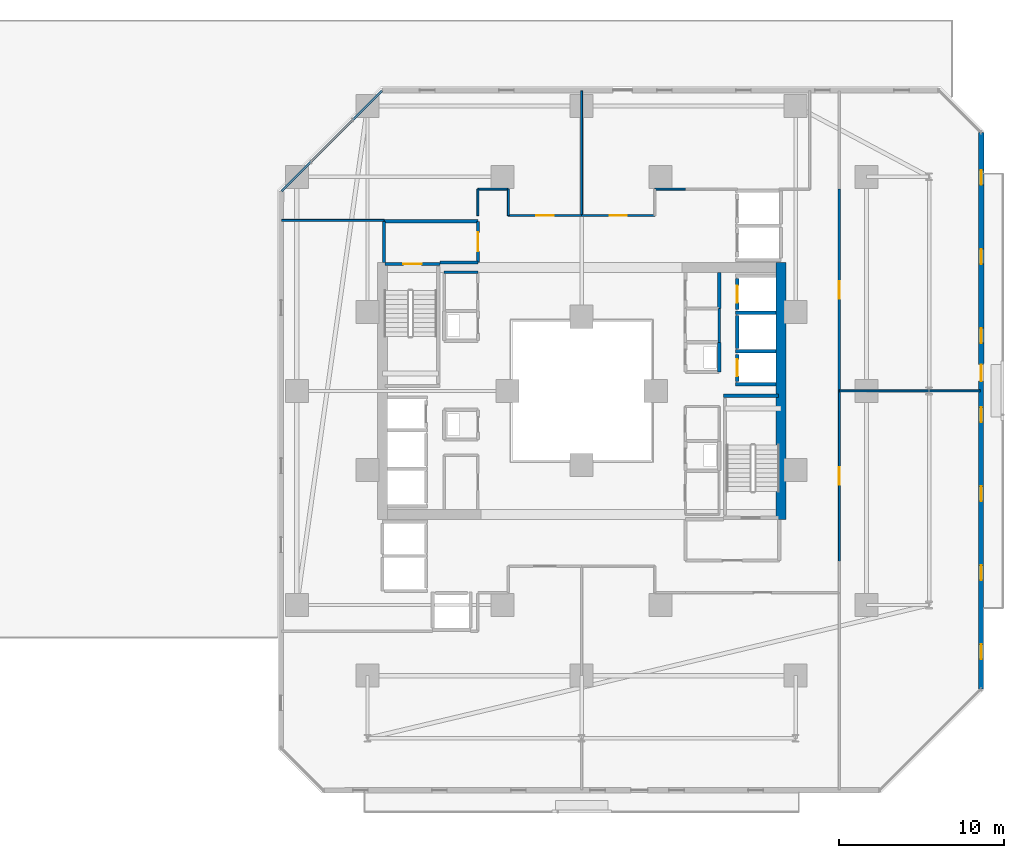
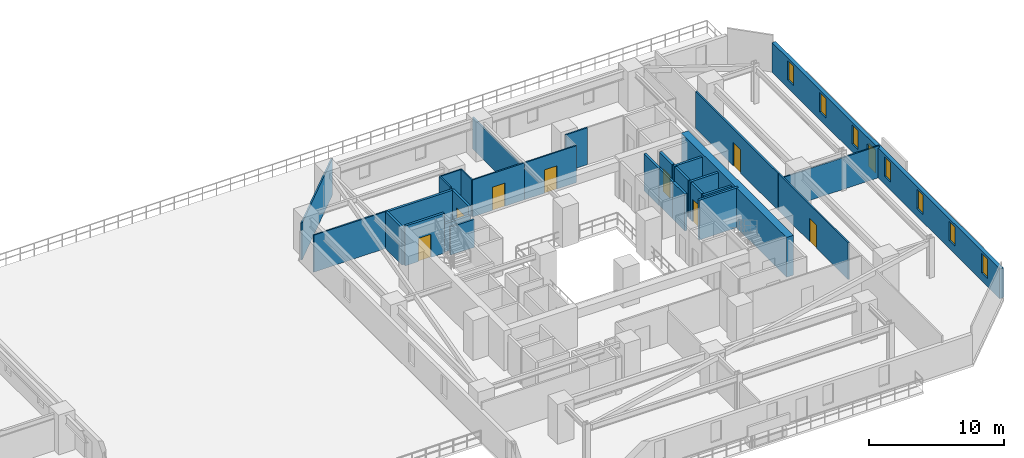
# One storey, part 24 of 34: 30 walls, 9 doors, 7 windows, 16 openings.
"""IFC4 building model written with IfcOpenShell, lengths in metres."""

from ifc_helpers import new_model, si_unit, direction, frame, frame_2d, origin, place, context, subcontext, project, spatial, rectangle, extrude, material, layer, layer_set, type_object, element, fill, save


model = new_model("IFC4")

# Units and contexts
model_context = context("Model", 3, precision=1e-05, world=origin(), true_north=direction((0.0, 1.0)))
body_context = subcontext(model_context, "Body", "Model", "MODEL_VIEW")
ifc_project = project(units=[si_unit("LENGTHUNIT", "METRE"), si_unit("AREAUNIT", "SQUARE_METRE"), si_unit("VOLUMEUNIT", "CUBIC_METRE"), si_unit("PLANEANGLEUNIT", "RADIAN"), si_unit("MASSUNIT", "GRAM", prefix="KILO")], contexts=[model_context])

# Site, building, storey
site_placement = place(None, origin())
site = spatial("IfcSite", under=ifc_project, at=site_placement, CompositionType="ELEMENT")
building_placement = place(site_placement, origin())
building = spatial("IfcBuilding", under=site, at=building_placement, Name="Thornwick Lancets Civic Towers", CompositionType="ELEMENT")
storey_placement = place(building_placement, frame((0.0, 0.0, 27.89990234375)))
storey = spatial("IfcBuildingStorey", under=building, at=storey_placement, Name="L06", CompositionType="ELEMENT", Elevation=27.89990234375)

# Wall, opening, door
ifc_material_1 = material(Name="Concrete blockwork C40/50", Category="masonry")
ifc_layer_1 = layer(ifc_material_1, 0.199951171875, Name="Concrete blockwork C40/50")
ifc_layer_set_1 = layer_set([ifc_layer_1], Name="Concrete blockwork C40/50")
wall_type_1 = type_object("IfcWallType", Name="WALL_COMP_200", PredefinedType="STANDARD", material=ifc_layer_set_1)
wall_1_placement = place(storey_placement, frame((97.949951171875, 29.219970703125, 0.0), z_axis=(0.0, 0.0, 1.0), x_axis=(0.0, -1.0, 0.0)))
wall_1 = element("IfcWall", 1, at=wall_1_placement, inside=storey, type_object=wall_type_1, Name="L06 Hoistway Front Wall FL-B1", PredefinedType="STANDARD", context=body_context, shape_type="SweptSolid", body=[
    extrude(rectangle(XDim=1.639892578125, YDim=0.199951171875, at=frame_2d((0.81982421875, 0.0))), origin(), (0.0, 0.0, 1.0), 3.340087890625),
])
opening_1_placement = place(wall_1_placement, frame((0.31005859375, 0.0, 0.0)))
opening_1 = element("IfcOpeningElement", 2, at=opening_1_placement, cuts=wall_1, Name="Opening LD-FL-B1", PredefinedType="OPENING", context=body_context, shape_type="SweptSolid", body=[
    extrude(rectangle(XDim=1.02001953125, YDim=2.06005859375, at=frame_2d((0.510009765625, 1.030029296875))), frame((0.0, 0.10986328125, 0.0), z_axis=(0.0, -1.0, 0.0), x_axis=(1.0, 0.0, 0.0)), (0.0, 0.0, 1.0), 0.219970703125),
])
ifc_material_2 = material(Name="Brushed bronze stainless steel", Category="steel")
door_type_1 = type_object("IfcDoorType", Name="DOOR_LIFT_SLIDE", OperationType="SLIDING_TO_LEFT", PredefinedType="DOOR", material=ifc_material_2)
door_1_placement = place(opening_1_placement, origin())
door_1 = element("IfcDoor", 3, at=door_1_placement, inside=storey, type_object=door_type_1, Name="L06 Sliding Lift Landing Door LD-FL-B1", OperationType="SLIDING_TO_LEFT", OverallHeight=2.06005859375, OverallWidth=1.02001953125, PredefinedType="DOOR", context=body_context, shape_type="SweptSolid", body=[
    extrude(rectangle(XDim=1.02001953125, YDim=2.06005859375, at=frame_2d((0.510009765625, 1.030029296875))), frame((0.0, 0.02490234375, 0.0), z_axis=(0.0, -1.0, 0.0), x_axis=(1.0, 0.0, 0.0)), (0.0, 0.0, 1.0), 0.050048828125),
])
fill(opening_1, door_1)

# Wall
wall_2_placement = place(storey_placement, frame((97.949951171875, 31.570068359375, 0.0), z_axis=(0.0, 0.0, 1.0), x_axis=(0.0, -1.0, 0.0)))
element("IfcWall", 4, at=wall_2_placement, inside=storey, type_object=wall_type_1, Name="L06 Hoistway Front Wall PL-BH1", PredefinedType="STANDARD", context=body_context, shape_type="SweptSolid", body=[
    extrude(rectangle(XDim=1.989990234375, YDim=0.199951171875, at=frame_2d((0.9951171875, 0.0))), origin(), (0.0, 0.0, 1.0), 3.340087890625),
])

# Wall, opening, door
wall_3_placement = place(storey_placement, frame((97.949951171875, 33.820068359375, 0.0), z_axis=(0.0, 0.0, 1.0), x_axis=(0.0, -1.0, 0.0)))
wall_3 = element("IfcWall", 5, at=wall_3_placement, inside=storey, type_object=wall_type_1, Name="L06 Hoistway Front Wall PL-BL1", PredefinedType="STANDARD", context=body_context, shape_type="SweptSolid", body=[
    extrude(rectangle(XDim=1.89013671875, YDim=0.199951171875, at=frame_2d((0.945068359375, 0.0))), origin(), (0.0, 0.0, 1.0), 3.340087890625),
])
opening_2_placement = place(wall_3_placement, frame((0.43505859375, 0.0, 0.0)))
opening_2 = element("IfcOpeningElement", 6, at=opening_2_placement, cuts=wall_3, Name="Opening LD-PL-BL1", PredefinedType="OPENING", context=body_context, shape_type="SweptSolid", body=[
    extrude(rectangle(XDim=1.02001953125, YDim=2.06005859375, at=frame_2d((0.510009765625, 1.030029296875))), frame((0.0, 0.10986328125, 0.0), z_axis=(0.0, -1.0, 0.0), x_axis=(1.0, 0.0, 0.0)), (0.0, 0.0, 1.0), 0.219970703125),
])
door_2_placement = place(opening_2_placement, origin())
door_2 = element("IfcDoor", 7, at=door_2_placement, inside=storey, type_object=door_type_1, Name="L06 Sliding Lift Landing Door LD-PL-BL1", OperationType="SLIDING_TO_LEFT", OverallHeight=2.06005859375, OverallWidth=1.02001953125, PredefinedType="DOOR", context=body_context, shape_type="SweptSolid", body=[
    extrude(rectangle(XDim=1.02001953125, YDim=2.06005859375, at=frame_2d((0.510009765625, 1.030029296875))), frame((0.0, 0.02490234375, 0.0), z_axis=(0.0, -1.0, 0.0), x_axis=(1.0, 0.0, 0.0)), (0.0, 0.0, 1.0), 0.050048828125),
])
fill(opening_2, door_2)

# Walls
for number, where, z_axis, x_axis, name in (
    (8, (97.85205078125, 29.39990234375, 0.0), (0.0, 0.0, 1.0), (1.0, 0.0, 0.0), "L06 Hoistway Shaft Wall FL-B1 N"),
    (9, (97.85205078125, 27.39990234375, 0.0), (0.0, 0.0, 1.0), (1.0, 0.0, 0.0), "L06 Hoistway Shaft Wall FL-B1 S"),
    (10, (97.85205078125, 31.75, 0.0), (0.0, 0.0, 1.0), (1.0, 0.0, 0.0), "L06 Hoistway Shaft Wall PL-BH1 N"),
):
    element("IfcWall", number, at=place(storey_placement, frame(where, z_axis=z_axis, x_axis=x_axis)), inside=storey, type_object=wall_type_1, Name=name, PredefinedType="STANDARD", context=body_context, shape_type="SweptSolid", body=[
        extrude(rectangle(XDim=2.43603515625, YDim=0.199951171875, at=frame_2d((1.218017578125, 0.0))), origin(), (0.0, 0.0, 1.0), 3.340087890625),
    ])
wall_4_placement = place(storey_placement, frame((79.89990234375, 34.800048828125, 0.0), z_axis=(0.0, 0.0, 1.0), x_axis=(1.0, 0.0, 0.0)))
element("IfcWall", 11, at=wall_4_placement, inside=storey, type_object=wall_type_1, Name="L06 Partition L06-B-FFLOB2 E1", PredefinedType="STANDARD", context=body_context, shape_type="SweptSolid", body=[
    extrude(rectangle(XDim=2.300048828125, YDim=0.199951171875, at=frame_2d((1.14990234375, 0.0))), origin(), (0.0, 0.0, 1.0), 2.545166015625),
])

# Wall, opening, door
wall_5_placement = place(storey_placement, frame((82.199951171875, 34.800048828125, 0.0), z_axis=(0.0, 0.0, 1.0), x_axis=(0.0, 1.0, 0.0)))
wall_5 = element("IfcWall", 12, at=wall_5_placement, inside=storey, type_object=wall_type_1, Name="L06 Partition L06-B-FFLOB2 E2", PredefinedType="STANDARD", context=body_context, shape_type="SweptSolid", body=[
    extrude(rectangle(XDim=2.5, YDim=0.199951171875, at=frame_2d((1.25, 0.0))), origin(), (0.0, 0.0, 1.0), 3.340087890625),
])
opening_3_placement = place(wall_5_placement, frame((0.675048828125, 0.0, 0.0)))
opening_3 = element("IfcOpeningElement", 13, at=opening_3_placement, cuts=wall_5, Name="Opening D-L06-0334", PredefinedType="OPENING", context=body_context, shape_type="SweptSolid", body=[
    extrude(rectangle(XDim=1.14990234375, YDim=2.10009765625, at=frame_2d((0.574951171875, 1.050048828125))), frame((0.0, 0.10986328125, 0.0), z_axis=(0.0, -1.0, 0.0), x_axis=(1.0, 0.0, 0.0)), (0.0, 0.0, 1.0), 0.219970703125),
])
ifc_material_3 = material(Name="Glazed fire-resisting steel", Category="steel")
door_type_2 = type_object("IfcDoorType", Name="DOOR_LOBBY_FD60", OperationType="NOTDEFINED", PredefinedType="DOOR", material=ifc_material_3)
door_3_placement = place(opening_3_placement, origin())
door_3 = element("IfcDoor", 14, at=door_3_placement, inside=storey, type_object=door_type_2, Name="L06 West Firefighting Lobby 2 Door", OperationType="SINGLE_SWING_LEFT", OverallHeight=2.10009765625, OverallWidth=1.14990234375, PredefinedType="DOOR", context=body_context, shape_type="SweptSolid", body=[
    extrude(rectangle(XDim=1.14990234375, YDim=2.10009765625, at=frame_2d((0.574951171875, 1.050048828125))), frame((0.0, 0.02490234375, 0.0), z_axis=(0.0, -1.0, 0.0), x_axis=(1.0, 0.0, 0.0)), (0.0, 0.0, 1.0), 0.050048828125),
])
fill(opening_3, door_3)

# Walls
wall_6_placement = place(storey_placement, frame((82.199951171875, 37.300048828125, 0.0), z_axis=(0.0, 0.0, 1.0), x_axis=(-1.0, 0.0, 0.0)))
element("IfcWall", 15, at=wall_6_placement, inside=storey, type_object=wall_type_1, Name="L06 Partition L06-B-FFLOB2 E3", PredefinedType="STANDARD", context=body_context, shape_type="SweptSolid", body=[
    extrude(rectangle(XDim=5.699951171875, YDim=0.199951171875, at=frame_2d((2.85009765625, 0.0))), origin(), (0.0, 0.0, 1.0), 3.340087890625),
])
wall_7_placement = place(storey_placement, frame((76.5, 37.300048828125, 0.0), z_axis=(0.0, 0.0, 1.0), x_axis=(0.0, -1.0, 0.0)))
element("IfcWall", 16, at=wall_7_placement, inside=storey, type_object=wall_type_1, Name="L06 Partition L06-B-FFLOB2 E4", PredefinedType="STANDARD", context=body_context, shape_type="SweptSolid", body=[
    extrude(rectangle(XDim=2.5, YDim=0.199951171875, at=frame_2d((1.25, 0.0))), origin(), (0.0, 0.0, 1.0), 3.340087890625),
])
wall_8_placement = place(storey_placement, frame((96.85009765625, 28.14990234375, 0.0), z_axis=(0.0, 0.0, 1.0), x_axis=(0.0, 1.0, 0.0)))
element("IfcWall", 17, at=wall_8_placement, inside=storey, type_object=wall_type_1, Name="L06 Partition L06-B-DUCT1 E2", PredefinedType="STANDARD", context=body_context, shape_type="SweptSolid", body=[
    extrude(rectangle(XDim=1.800048828125, YDim=0.199951171875, at=frame_2d((0.89990234375, 0.0))), origin(), (0.0, 0.0, 1.0), 3.340087890625),
])
wall_9_placement = place(storey_placement, frame((96.85009765625, 34.199951171875, 0.0), z_axis=(0.0, 0.0, 1.0), x_axis=(0.0, -1.0, 0.0)))
element("IfcWall", 18, at=wall_9_placement, inside=storey, type_object=wall_type_1, Name="L06 Partition L06-B-STR2 E3", PredefinedType="STANDARD", context=body_context, shape_type="SweptSolid", body=[
    extrude(rectangle(XDim=2.199951171875, YDim=0.199951171875, at=frame_2d((1.10009765625, 0.0))), origin(), (0.0, 0.0, 1.0), 3.340087890625),
])
ifc_material_4 = material(Name="Concrete C60/75", Category="concrete")
ifc_layer_2 = layer(ifc_material_4, 0.60009765625, Name="Concrete C60/75")
ifc_layer_set_2 = layer_set([ifc_layer_2], Name="Concrete C60/75")
wall_type_2 = type_object("IfcWallType", Name="WALL_CORE_600", PredefinedType="SHEAR", material=ifc_layer_set_2)
wall_10_placement = place(storey_placement, frame((100.60009765625, 19.199951171875, 0.0), z_axis=(0.0, 0.0, 1.0), x_axis=(0.0, 1.0, 0.0)))
element("IfcWall", 19, at=wall_10_placement, inside=storey, type_object=wall_type_2, Name="L06 Split Core B1 Shear Wall E", PredefinedType="SHEAR", context=body_context, shape_type="SweptSolid", body=[
    extrude(rectangle(XDim=15.60009765625, YDim=0.60009765625, at=frame_2d((7.800048828125, 0.0))), origin(), (0.0, 0.0, 1.0), 3.60009765625),
])

# Wall, openings, door, windows
ifc_material_5 = material(Name="Insulated buff terracotta rainscreen on concrete C40/50", Category="masonry")
ifc_layer_3 = layer(ifc_material_5, 0.320068359375, Name="Insulated buff terracotta rainscreen on concrete C40/50")
ifc_layer_set_3 = layer_set([ifc_layer_3], Name="Insulated buff terracotta rainscreen on concrete C40/50")
wall_type_3 = type_object("IfcWallType", Name="WALL_EXT_TERRA_320", PredefinedType="STANDARD", material=ifc_layer_set_3)
wall_11_placement = place(storey_placement, frame((112.75341796875, 8.904296875, 0.0), z_axis=(0.0, 0.0, 1.0), x_axis=(0.000339718087, 0.999999942296, 0.0)))
wall_11 = element("IfcWall", 20, at=wall_11_placement, inside=storey, type_object=wall_type_3, Name="L06 Tower B Terracotta Facade Wall E2", PredefinedType="STANDARD", context=body_context, shape_type="SweptSolid", body=[
    extrude(rectangle(XDim=33.77685546875, YDim=0.320068359375, at=frame_2d((16.888427734375, 0.0))), origin(), (0.0, 0.0, 1.0), 2.7001953125),
])
opening_4_placement = place(wall_11_placement, frame((18.6884765625, 0.0, 0.0)))
opening_4 = element("IfcOpeningElement", 21, at=opening_4_placement, cuts=wall_11, Name="Opening D-BL-L06-BE", PredefinedType="OPENING", context=body_context, shape_type="SweptSolid", body=[
    extrude(rectangle(XDim=1.0, YDim=2.080078125, at=frame_2d((0.5, 1.0400390625))), frame((0.0, 0.169921875, 0.0), z_axis=(0.0, -1.0, 0.0), x_axis=(1.0, 0.0, 0.0)), (0.0, 0.0, 1.0), 0.340087890625),
])
opening_5_placement = place(wall_11_placement, frame((1.800048828125, 0.0, 0.719970703125)))
opening_5 = element("IfcOpeningElement", 22, at=opening_5_placement, cuts=wall_11, Name="Opening WL-01", PredefinedType="OPENING", context=body_context, shape_type="SweptSolid", body=[
    extrude(rectangle(XDim=0.89990234375, YDim=1.75, at=frame_2d((0.449951171875, 0.875))), frame((0.0, 0.169921875, 0.0), z_axis=(0.0, -1.0, 0.0), x_axis=(1.0, 0.0, 0.0)), (0.0, 0.0, 1.0), 0.340087890625),
])
opening_6_placement = place(wall_11_placement, frame((6.60009765625, 0.0, 0.719970703125)))
opening_6 = element("IfcOpeningElement", 23, at=opening_6_placement, cuts=wall_11, Name="Opening WL-01", PredefinedType="OPENING", context=body_context, shape_type="SweptSolid", body=[
    extrude(rectangle(XDim=0.89990234375, YDim=1.75, at=frame_2d((0.449951171875, 0.875))), frame((0.0, 0.169921875, 0.0), z_axis=(0.0, -1.0, 0.0), x_axis=(1.0, 0.0, 0.0)), (0.0, 0.0, 1.0), 0.340087890625),
])
opening_7_placement = place(wall_11_placement, frame((11.39990234375, 0.0, 0.719970703125)))
opening_7 = element("IfcOpeningElement", 24, at=opening_7_placement, cuts=wall_11, Name="Opening WL-01", PredefinedType="OPENING", context=body_context, shape_type="SweptSolid", body=[
    extrude(rectangle(XDim=0.89990234375, YDim=1.75, at=frame_2d((0.449951171875, 0.875))), frame((0.0, 0.169921875, 0.0), z_axis=(0.0, -1.0, 0.0), x_axis=(1.0, 0.0, 0.0)), (0.0, 0.0, 1.0), 0.340087890625),
])
opening_8_placement = place(wall_11_placement, frame((16.199951171875, 0.0, 0.719970703125)))
opening_8 = element("IfcOpeningElement", 25, at=opening_8_placement, cuts=wall_11, Name="Opening WL-01", PredefinedType="OPENING", context=body_context, shape_type="SweptSolid", body=[
    extrude(rectangle(XDim=0.89990234375, YDim=1.75, at=frame_2d((0.449951171875, 0.875))), frame((0.0, 0.169921875, 0.0), z_axis=(0.0, -1.0, 0.0), x_axis=(1.0, 0.0, 0.0)), (0.0, 0.0, 1.0), 0.340087890625),
])
opening_9_placement = place(wall_11_placement, frame((21.0, 0.0, 0.719970703125)))
opening_9 = element("IfcOpeningElement", 26, at=opening_9_placement, cuts=wall_11, Name="Opening WL-01", PredefinedType="OPENING", context=body_context, shape_type="SweptSolid", body=[
    extrude(rectangle(XDim=0.89990234375, YDim=1.75, at=frame_2d((0.449951171875, 0.875))), frame((0.0, 0.169921875, 0.0), z_axis=(0.0, -1.0, 0.0), x_axis=(1.0, 0.0, 0.0)), (0.0, 0.0, 1.0), 0.340087890625),
])
opening_10_placement = place(wall_11_placement, frame((25.800048828125, 0.0, 0.719970703125)))
opening_10 = element("IfcOpeningElement", 27, at=opening_10_placement, cuts=wall_11, Name="Opening WL-01", PredefinedType="OPENING", context=body_context, shape_type="SweptSolid", body=[
    extrude(rectangle(XDim=0.89990234375, YDim=1.75, at=frame_2d((0.449951171875, 0.875))), frame((0.0, 0.169921875, 0.0), z_axis=(0.0, -1.0, 0.0), x_axis=(1.0, 0.0, 0.0)), (0.0, 0.0, 1.0), 0.340087890625),
])
opening_11_placement = place(wall_11_placement, frame((30.60009765625, 0.0, 0.719970703125)))
opening_11 = element("IfcOpeningElement", 28, at=opening_11_placement, cuts=wall_11, Name="Opening WL-01", PredefinedType="OPENING", context=body_context, shape_type="SweptSolid", body=[
    extrude(rectangle(XDim=0.89990234375, YDim=1.75, at=frame_2d((0.449951171875, 0.875))), frame((0.0, 0.169921875, 0.0), z_axis=(0.0, -1.0, 0.0), x_axis=(1.0, 0.0, 0.0)), (0.0, 0.0, 1.0), 0.340087890625),
])
ifc_material_6 = material(Name="Thermally broken glazed loggia doorset")
door_type_3 = type_object("IfcDoorType", Name="DOOR_BALC_1000", OperationType="NOTDEFINED", PredefinedType="DOOR", material=ifc_material_6)
door_4_placement = place(opening_4_placement, origin())
door_4 = element("IfcDoor", 29, at=door_4_placement, inside=storey, type_object=door_type_3, Name="L06 Tower B Loggia Balcony Door E", OperationType="SINGLE_SWING_LEFT", OverallHeight=2.080078125, OverallWidth=1.0, PredefinedType="DOOR", context=body_context, shape_type="SweptSolid", body=[
    extrude(rectangle(XDim=1.0, YDim=2.080078125, at=frame_2d((0.5, 1.0400390625))), frame((0.0, 0.02490234375, 0.0), z_axis=(0.0, -1.0, 0.0), x_axis=(1.0, 0.0, 0.0)), (0.0, 0.0, 1.0), 0.050048828125),
])
fill(opening_4, door_4)
ifc_material_7 = material(Name="Clear low-e double glazing in bronze frame", Category="glass")
window_type = type_object("IfcWindowType", Name="WIN_LANCET_900", PartitioningType="SINGLE_PANEL", PredefinedType="WINDOW", material=ifc_material_7)
window_1_placement = place(opening_5_placement, origin())
window_1 = element("IfcWindow", 30, at=window_1_placement, inside=storey, type_object=window_type, Name="L06 Tower B Staggered Lancet Window E2-1", OverallHeight=1.75, OverallWidth=0.89990234375, PartitioningType="SINGLE_PANEL", PredefinedType="WINDOW", context=body_context, shape_type="SweptSolid", body=[
    extrude(rectangle(XDim=0.89990234375, YDim=1.75, at=frame_2d((0.449951171875, 0.875))), frame((0.0, 0.030029296875, 0.0), z_axis=(0.0, -1.0, 0.0), x_axis=(1.0, 0.0, 0.0)), (0.0, 0.0, 1.0), 0.06005859375),
])
fill(opening_5, window_1)
window_2_placement = place(opening_6_placement, origin())
window_2 = element("IfcWindow", 31, at=window_2_placement, inside=storey, type_object=window_type, Name="L06 Tower B Staggered Lancet Window E2-2", OverallHeight=1.75, OverallWidth=0.89990234375, PartitioningType="SINGLE_PANEL", PredefinedType="WINDOW", context=body_context, shape_type="SweptSolid", body=[
    extrude(rectangle(XDim=0.89990234375, YDim=1.75, at=frame_2d((0.449951171875, 0.875))), frame((0.0, 0.030029296875, 0.0), z_axis=(0.0, -1.0, 0.0), x_axis=(1.0, 0.0, 0.0)), (0.0, 0.0, 1.0), 0.06005859375),
])
fill(opening_6, window_2)
window_3_placement = place(opening_7_placement, origin())
window_3 = element("IfcWindow", 32, at=window_3_placement, inside=storey, type_object=window_type, Name="L06 Tower B Staggered Lancet Window E2-3", OverallHeight=1.75, OverallWidth=0.89990234375, PartitioningType="SINGLE_PANEL", PredefinedType="WINDOW", context=body_context, shape_type="SweptSolid", body=[
    extrude(rectangle(XDim=0.89990234375, YDim=1.75, at=frame_2d((0.449951171875, 0.875))), frame((0.0, 0.030029296875, 0.0), z_axis=(0.0, -1.0, 0.0), x_axis=(1.0, 0.0, 0.0)), (0.0, 0.0, 1.0), 0.06005859375),
])
fill(opening_7, window_3)
window_4_placement = place(opening_8_placement, origin())
window_4 = element("IfcWindow", 33, at=window_4_placement, inside=storey, type_object=window_type, Name="L06 Tower B Staggered Lancet Window E2-4", OverallHeight=1.75, OverallWidth=0.89990234375, PartitioningType="SINGLE_PANEL", PredefinedType="WINDOW", context=body_context, shape_type="SweptSolid", body=[
    extrude(rectangle(XDim=0.89990234375, YDim=1.75, at=frame_2d((0.449951171875, 0.875))), frame((0.0, 0.030029296875, 0.0), z_axis=(0.0, -1.0, 0.0), x_axis=(1.0, 0.0, 0.0)), (0.0, 0.0, 1.0), 0.06005859375),
])
fill(opening_8, window_4)
window_5_placement = place(opening_9_placement, origin())
window_5 = element("IfcWindow", 34, at=window_5_placement, inside=storey, type_object=window_type, Name="L06 Tower B Staggered Lancet Window E2-5", OverallHeight=1.75, OverallWidth=0.89990234375, PartitioningType="SINGLE_PANEL", PredefinedType="WINDOW", context=body_context, shape_type="SweptSolid", body=[
    extrude(rectangle(XDim=0.89990234375, YDim=1.75, at=frame_2d((0.449951171875, 0.875))), frame((0.0, 0.030029296875, 0.0), z_axis=(0.0, -1.0, 0.0), x_axis=(1.0, 0.0, 0.0)), (0.0, 0.0, 1.0), 0.06005859375),
])
fill(opening_9, window_5)
window_6_placement = place(opening_10_placement, origin())
window_6 = element("IfcWindow", 35, at=window_6_placement, inside=storey, type_object=window_type, Name="L06 Tower B Staggered Lancet Window E2-6", OverallHeight=1.75, OverallWidth=0.89990234375, PartitioningType="SINGLE_PANEL", PredefinedType="WINDOW", context=body_context, shape_type="SweptSolid", body=[
    extrude(rectangle(XDim=0.89990234375, YDim=1.75, at=frame_2d((0.449951171875, 0.875))), frame((0.0, 0.030029296875, 0.0), z_axis=(0.0, -1.0, 0.0), x_axis=(1.0, 0.0, 0.0)), (0.0, 0.0, 1.0), 0.06005859375),
])
fill(opening_10, window_6)
window_7_placement = place(opening_11_placement, origin())
window_7 = element("IfcWindow", 36, at=window_7_placement, inside=storey, type_object=window_type, Name="L06 Tower B Staggered Lancet Window E2-7", OverallHeight=1.75, OverallWidth=0.89990234375, PartitioningType="SINGLE_PANEL", PredefinedType="WINDOW", context=body_context, shape_type="SweptSolid", body=[
    extrude(rectangle(XDim=0.89990234375, YDim=1.75, at=frame_2d((0.449951171875, 0.875))), frame((0.0, 0.030029296875, 0.0), z_axis=(0.0, -1.0, 0.0), x_axis=(1.0, 0.0, 0.0)), (0.0, 0.0, 1.0), 0.06005859375),
])
fill(opening_11, window_7)

# Wall
ifc_material_8 = material(Name="Acoustic gypsum board partition")
ifc_layer_4 = layer(ifc_material_8, 0.1201171875, Name="Acoustic gypsum board partition")
ifc_layer_set_4 = layer_set([ifc_layer_4], Name="Acoustic gypsum board partition")
wall_type_4 = type_object("IfcWallType", Name="WALL_PART_120", PredefinedType="PARTITIONING", material=ifc_layer_set_4)
wall_12_placement = place(storey_placement, frame((94.800048828125, 39.25, 0.0), z_axis=(0.0, 0.0, 1.0), x_axis=(-1.0, 0.0, 0.0)))
element("IfcWall", 37, at=wall_12_placement, inside=storey, type_object=wall_type_4, Name="L06 Partition L06-B-E1 E2", PredefinedType="PARTITIONING", context=body_context, shape_type="SweptSolid", body=[
    extrude(rectangle(XDim=1.85009765625, YDim=0.1201171875, at=frame_2d((0.925048828125, 0.0))), origin(), (0.0, 0.0, 1.0), 3.340087890625),
])

# Wall, opening, door
wall_13_placement = place(storey_placement, frame((92.949951171875, 37.64990234375, 0.0), z_axis=(0.0, 0.0, 1.0), x_axis=(-1.0, 0.0, 0.0)))
wall_13 = element("IfcWall", 38, at=wall_13_placement, inside=storey, type_object=wall_type_4, Name="L06 Partition L06-B-E1 E4", PredefinedType="PARTITIONING", context=body_context, shape_type="SweptSolid", body=[
    extrude(rectangle(XDim=4.449951171875, YDim=0.1201171875, at=frame_2d((2.22509765625, 0.0))), origin(), (0.0, 0.0, 1.0), 3.340087890625),
])
opening_12_placement = place(wall_13_placement, frame((1.699951171875, 0.0, 0.0)))
opening_12 = element("IfcOpeningElement", 39, at=opening_12_placement, cuts=wall_13, Name="Opening D-L06-0353", PredefinedType="OPENING", context=body_context, shape_type="SweptSolid", body=[
    extrude(rectangle(XDim=1.050048828125, YDim=2.10009765625, at=frame_2d((0.52490234375, 1.050048828125))), frame((0.0, 0.070068359375, 0.0), z_axis=(0.0, -1.0, 0.0), x_axis=(1.0, 0.0, 0.0)), (0.0, 0.0, 1.0), 0.14013671875),
])
ifc_material_9 = material(Name="Glazed European oak executive doorset")
door_type_4 = type_object("IfcDoorType", Name="DOOR_OFFICE_1050", OperationType="NOTDEFINED", PredefinedType="DOOR", material=ifc_material_9)
door_5_placement = place(opening_12_placement, origin())
door_5 = element("IfcDoor", 40, at=door_5_placement, inside=storey, type_object=door_type_4, Name="L06 Tower B Secretariat Open Office E1 Door", OperationType="SINGLE_SWING_RIGHT", OverallHeight=2.10009765625, OverallWidth=1.050048828125, PredefinedType="DOOR", context=body_context, shape_type="SweptSolid", body=[
    extrude(rectangle(XDim=1.050048828125, YDim=2.10009765625, at=frame_2d((0.52490234375, 1.050048828125))), frame((0.0, 0.02490234375, 0.0), z_axis=(0.0, -1.0, 0.0), x_axis=(1.0, 0.0, 0.0)), (0.0, 0.0, 1.0), 0.050048828125),
])
fill(opening_12, door_5)

# Walls
wall_14_placement = place(storey_placement, frame((88.5, 37.64990234375, 0.0), z_axis=(0.0, 0.0, 1.0), x_axis=(0.0, 1.0, 0.0)))
element("IfcWall", 41, at=wall_14_placement, inside=storey, type_object=wall_type_4, Name="L06 Partition L06-B-E1 E5", PredefinedType="PARTITIONING", context=body_context, shape_type="SweptSolid", body=[
    extrude(rectangle(XDim=7.570068359375, YDim=0.1201171875, at=frame_2d((3.78515625, 0.0))), origin(), (0.0, 0.0, 1.0), 2.8779296875),
])
wall_15_placement = place(storey_placement, frame((84.050048828125, 37.64990234375, 0.0), z_axis=(0.0, 0.0, 1.0), x_axis=(0.0, 1.0, 0.0)))
element("IfcWall", 42, at=wall_15_placement, inside=storey, type_object=wall_type_4, Name="L06 Partition L06-B-E2 E1", PredefinedType="PARTITIONING", context=body_context, shape_type="SweptSolid", body=[
    extrude(rectangle(XDim=1.60009765625, YDim=0.1201171875, at=frame_2d((0.800048828125, 0.0))), origin(), (0.0, 0.0, 1.0), 3.340087890625),
])
wall_16_placement = place(storey_placement, frame((84.050048828125, 39.25, 0.0), z_axis=(0.0, 0.0, 1.0), x_axis=(-1.0, 0.0, 0.0)))
element("IfcWall", 43, at=wall_16_placement, inside=storey, type_object=wall_type_4, Name="L06 Partition L06-B-E2 E2", PredefinedType="PARTITIONING", context=body_context, shape_type="SweptSolid", body=[
    extrude(rectangle(XDim=1.85009765625, YDim=0.1201171875, at=frame_2d((0.925048828125, 0.0))), origin(), (0.0, 0.0, 1.0), 3.340087890625),
])
wall_17_placement = place(storey_placement, frame((82.199951171875, 39.25, 0.0), z_axis=(0.0, 0.0, 1.0), x_axis=(0.0, -1.0, 0.0)))
element("IfcWall", 44, at=wall_17_placement, inside=storey, type_object=wall_type_4, Name="L06 Partition L06-B-E2 E3", PredefinedType="PARTITIONING", context=body_context, shape_type="SweptSolid", body=[
    extrude(rectangle(XDim=1.60009765625, YDim=0.1201171875, at=frame_2d((0.800048828125, 0.0))), origin(), (0.0, 0.0, 1.0), 3.340087890625),
])
wall_18_placement = place(storey_placement, frame((76.5, 37.35009765625, 0.0), z_axis=(0.0, 0.0, 1.0), x_axis=(-1.0, 0.0, 0.0)))
element("IfcWall", 45, at=wall_18_placement, inside=storey, type_object=wall_type_4, Name="L06 Partition L06-B-E2 E5", PredefinedType="PARTITIONING", context=body_context, shape_type="SweptSolid", body=[
    extrude(rectangle(XDim=6.219970703125, YDim=0.1201171875, at=frame_2d((3.10986328125, 0.0))), origin(), (0.0, 0.0, 1.0), 3.340087890625),
])
wall_19_placement = place(storey_placement, frame((70.280029296875, 39.12548828125, 0.0), z_axis=(0.0, 0.0, 1.0), x_axis=(0.707106781187, 0.707106781187, 0.0)))
element("IfcWall", 46, at=wall_19_placement, inside=storey, type_object=wall_type_4, Name="L06 Partition L06-B-E2 E7", PredefinedType="PARTITIONING", context=body_context, shape_type="SweptSolid", body=[
    extrude(rectangle(XDim=8.618896484375, YDim=0.1201171875, at=frame_2d((4.3095703125, 0.0))), origin(), (0.0, 0.0, 1.0), 3.340087890625),
])

# Wall, opening, door
wall_20_placement = place(storey_placement, frame((88.5, 37.64990234375, 0.0), z_axis=(0.0, 0.0, 1.0), x_axis=(-1.0, 0.0, 0.0)))
wall_20 = element("IfcWall", 47, at=wall_20_placement, inside=storey, type_object=wall_type_4, Name="L06 Partition L06-B-E2 E10", PredefinedType="PARTITIONING", context=body_context, shape_type="SweptSolid", body=[
    extrude(rectangle(XDim=4.449951171875, YDim=0.1201171875, at=frame_2d((2.22509765625, 0.0))), origin(), (0.0, 0.0, 1.0), 3.340087890625),
])
opening_13_placement = place(wall_20_placement, frame((1.699951171875, 0.0, 0.0)))
opening_13 = element("IfcOpeningElement", 48, at=opening_13_placement, cuts=wall_20, Name="Opening D-L06-0354", PredefinedType="OPENING", context=body_context, shape_type="SweptSolid", body=[
    extrude(rectangle(XDim=1.050048828125, YDim=2.10009765625, at=frame_2d((0.52490234375, 1.050048828125))), frame((0.0, 0.070068359375, 0.0), z_axis=(0.0, -1.0, 0.0), x_axis=(1.0, 0.0, 0.0)), (0.0, 0.0, 1.0), 0.14013671875),
])
door_6_placement = place(opening_13_placement, origin())
door_6 = element("IfcDoor", 49, at=door_6_placement, inside=storey, type_object=door_type_4, Name="L06 Tower B Visitors Reception and Waiting Door", OperationType="SINGLE_SWING_LEFT", OverallHeight=2.10009765625, OverallWidth=1.050048828125, PredefinedType="DOOR", context=body_context, shape_type="SweptSolid", body=[
    extrude(rectangle(XDim=1.050048828125, YDim=2.10009765625, at=frame_2d((0.52490234375, 1.050048828125))), frame((0.0, 0.02490234375, 0.0), z_axis=(0.0, -1.0, 0.0), x_axis=(1.0, 0.0, 0.0)), (0.0, 0.0, 1.0), 0.050048828125),
])
fill(opening_13, door_6)

wall_21_placement = place(storey_placement, frame((104.14990234375, 16.64990234375, 0.0), z_axis=(0.0, 0.0, 1.0), x_axis=(0.0, 1.0, 0.0)))
wall_21 = element("IfcWall", 50, at=wall_21_placement, inside=storey, type_object=wall_type_4, Name="L06 Partition L06-B-S-OFF E4", PredefinedType="PARTITIONING", context=body_context, shape_type="SweptSolid", body=[
    extrude(rectangle(XDim=10.35009765625, YDim=0.1201171875, at=frame_2d((5.175048828125, 0.0))), origin(), (0.0, 0.0, 1.0), 3.340087890625),
])
opening_14_placement = place(wall_21_placement, frame((4.64990234375, 0.0, 0.0)))
opening_14 = element("IfcOpeningElement", 51, at=opening_14_placement, cuts=wall_21, Name="Opening D-L06-0355", PredefinedType="OPENING", context=body_context, shape_type="SweptSolid", body=[
    extrude(rectangle(XDim=1.050048828125, YDim=2.10009765625, at=frame_2d((0.52490234375, 1.050048828125))), frame((0.0, 0.070068359375, 0.0), z_axis=(0.0, -1.0, 0.0), x_axis=(1.0, 0.0, 0.0)), (0.0, 0.0, 1.0), 0.14013671875),
])
door_7_placement = place(opening_14_placement, origin())
door_7 = element("IfcDoor", 52, at=door_7_placement, inside=storey, type_object=door_type_4, Name="L06 Tower B South Division Office Door", OperationType="SINGLE_SWING_RIGHT", OverallHeight=2.10009765625, OverallWidth=1.050048828125, PredefinedType="DOOR", context=body_context, shape_type="SweptSolid", body=[
    extrude(rectangle(XDim=1.050048828125, YDim=2.10009765625, at=frame_2d((0.52490234375, 1.050048828125))), frame((0.0, 0.02490234375, 0.0), z_axis=(0.0, -1.0, 0.0), x_axis=(1.0, 0.0, 0.0)), (0.0, 0.0, 1.0), 0.050048828125),
])
fill(opening_14, door_7)

# Walls
wall_22_placement = place(storey_placement, frame((104.14990234375, 27.0, 0.0), z_axis=(0.0, 0.0, 1.0), x_axis=(1.0, 0.0, 0.0)))
element("IfcWall", 53, at=wall_22_placement, inside=storey, type_object=wall_type_4, Name="L06 Partition L06-B-S-OFF E5", PredefinedType="PARTITIONING", context=body_context, shape_type="SweptSolid", body=[
    extrude(rectangle(XDim=8.570068359375, YDim=0.1201171875, at=frame_2d((4.28515625, 0.0))), origin(), (0.0, 0.0, 1.0), 2.8779296875),
])
ifc_material_10 = material(Name="Twin-stud acoustic gypsum board")
ifc_layer_5 = layer(ifc_material_10, 0.14990234375, Name="Twin-stud acoustic gypsum board")
ifc_layer_set_5 = layer_set([ifc_layer_5], Name="Twin-stud acoustic gypsum board")
wall_type_5 = type_object("IfcWallType", Name="WALL_PART_150", PredefinedType="PARTITIONING", material=ifc_layer_set_5)
wall_23_placement = place(storey_placement, frame((96.85009765625, 32.0, 0.0), z_axis=(0.0, 0.0, 1.0), x_axis=(0.0, -1.0, 0.0)))
element("IfcWall", 54, at=wall_23_placement, inside=storey, type_object=wall_type_5, Name="L06 Partition L06-B-AWC E3", PredefinedType="PARTITIONING", context=body_context, shape_type="SweptSolid", body=[
    extrude(rectangle(XDim=2.050048828125, YDim=0.14990234375, at=frame_2d((1.02490234375, 0.0))), origin(), (0.0, 0.0, 1.0), 3.340087890625),
])
wall_24_placement = place(storey_placement, frame((80.14990234375, 34.199951171875, 0.0), z_axis=(0.0, 0.0, 1.0), x_axis=(1.0, 0.0, 0.0)))
element("IfcWall", 55, at=wall_24_placement, inside=storey, type_object=wall_type_5, Name="L06 Partition L06-B-FWC E2", PredefinedType="PARTITIONING", context=body_context, shape_type="SweptSolid", body=[
    extrude(rectangle(XDim=2.050048828125, YDim=0.14990234375, at=frame_2d((1.02490234375, 0.0))), origin(), (0.0, 0.0, 1.0), 2.545166015625),
])

# Wall, opening, door
wall_25_placement = place(storey_placement, frame((104.14990234375, 27.0, 0.0), z_axis=(0.0, 0.0, 1.0), x_axis=(0.0, 1.0, 0.0)))
wall_25 = element("IfcWall", 56, at=wall_25_placement, inside=storey, type_object=wall_type_5, Name="L06 Partition L06-B-S-ARCH E1", PredefinedType="PARTITIONING", context=body_context, shape_type="SweptSolid", body=[
    extrude(rectangle(XDim=12.25, YDim=0.14990234375, at=frame_2d((6.125, 0.0))), origin(), (0.0, 0.0, 1.0), 3.340087890625),
])
opening_15_placement = place(wall_25_placement, frame((5.60009765625, 0.0, 0.0)))
opening_15 = element("IfcOpeningElement", 57, at=opening_15_placement, cuts=wall_25, Name="Opening D-L06-0356", PredefinedType="OPENING", context=body_context, shape_type="SweptSolid", body=[
    extrude(rectangle(XDim=1.050048828125, YDim=2.10009765625, at=frame_2d((0.52490234375, 1.050048828125))), frame((0.0, 0.0849609375, 0.0), z_axis=(0.0, -1.0, 0.0), x_axis=(1.0, 0.0, 0.0)), (0.0, 0.0, 1.0), 0.169921875),
])
door_8_placement = place(opening_15_placement, origin())
door_8 = element("IfcDoor", 58, at=door_8_placement, inside=storey, type_object=door_type_4, Name="L06 Tower B Registry and Records Archive Door", OperationType="SINGLE_SWING_LEFT", OverallHeight=2.10009765625, OverallWidth=1.050048828125, PredefinedType="DOOR", context=body_context, shape_type="SweptSolid", body=[
    extrude(rectangle(XDim=1.050048828125, YDim=2.10009765625, at=frame_2d((0.52490234375, 1.050048828125))), frame((0.0, 0.02490234375, 0.0), z_axis=(0.0, -1.0, 0.0), x_axis=(1.0, 0.0, 0.0)), (0.0, 0.0, 1.0), 0.050048828125),
])
fill(opening_15, door_8)

# Wall
ifc_material_11 = material(Name="Concrete C40/50", Category="concrete")
ifc_layer_6 = layer(ifc_material_11, 0.199951171875, Name="Concrete C40/50")
ifc_layer_set_6 = layer_set([ifc_layer_6], Name="Concrete C40/50")
wall_type_6 = type_object("IfcWallType", Name="WALL_SHAFT_200", PredefinedType="SHEAR", material=ifc_layer_set_6)
wall_26_placement = place(storey_placement, frame((97.10009765625, 26.699951171875, 0.0), z_axis=(0.0, 0.0, 1.0), x_axis=(1.0, 0.0, 0.0)))
element("IfcWall", 59, at=wall_26_placement, inside=storey, type_object=wall_type_6, Name="L06 ST-B1 Fire Stair Core Wall FAR", PredefinedType="SHEAR", context=body_context, shape_type="SweptSolid", body=[
    extrude(rectangle(XDim=3.349853515625, YDim=0.199951171875, at=frame_2d((1.6748046875, 0.0))), origin(), (0.0, 0.0, 1.0), 3.60009765625),
])

# Wall, opening, door
wall_27_placement = place(storey_placement, frame((76.550048828125, 34.699951171875, 0.0), z_axis=(0.0, 0.0, 1.0), x_axis=(1.0, 0.0, 0.0)))
wall_27 = element("IfcWall", 60, at=wall_27_placement, inside=storey, type_object=wall_type_6, Name="L06 ST-B2 Fire Stair Core Wall NEAR", PredefinedType="SHEAR", context=body_context, shape_type="SweptSolid", body=[
    extrude(rectangle(XDim=3.349853515625, YDim=0.199951171875, at=frame_2d((1.6748046875, 0.0))), origin(), (0.0, 0.0, 1.0), 3.60009765625),
])
opening_16_placement = place(wall_27_placement, frame((1.125, 0.0, 0.0)))
opening_16 = element("IfcOpeningElement", 61, at=opening_16_placement, cuts=wall_27, Name="Opening D-ST-B2-L06", PredefinedType="OPENING", context=body_context, shape_type="SweptSolid", body=[
    extrude(rectangle(XDim=1.10009765625, YDim=2.10009765625, at=frame_2d((0.550048828125, 1.050048828125))), frame((0.0, 0.10986328125, 0.0), z_axis=(0.0, -1.0, 0.0), x_axis=(1.0, 0.0, 0.0)), (0.0, 0.0, 1.0), 0.219970703125),
])
ifc_material_12 = material(Name="Fire-resisting steel and hardwood", Category="steel")
door_type_5 = type_object("IfcDoorType", Name="DOOR_STAIR_FD60", OperationType="NOTDEFINED", PredefinedType="DOOR", material=ifc_material_12)
door_9_placement = place(opening_16_placement, origin())
door_9 = element("IfcDoor", 62, at=door_9_placement, inside=storey, type_object=door_type_5, Name="L06 ST-B2 Exit Stair Door", OperationType="SINGLE_SWING_LEFT", OverallHeight=2.10009765625, OverallWidth=1.10009765625, PredefinedType="DOOR", context=body_context, shape_type="SweptSolid", body=[
    extrude(rectangle(XDim=1.10009765625, YDim=2.10009765625, at=frame_2d((0.550048828125, 1.050048828125))), frame((0.0, 0.02490234375, 0.0), z_axis=(0.0, -1.0, 0.0), x_axis=(1.0, 0.0, 0.0)), (0.0, 0.0, 1.0), 0.050048828125),
])
fill(opening_16, door_9)

save(model, "model.ifc")
